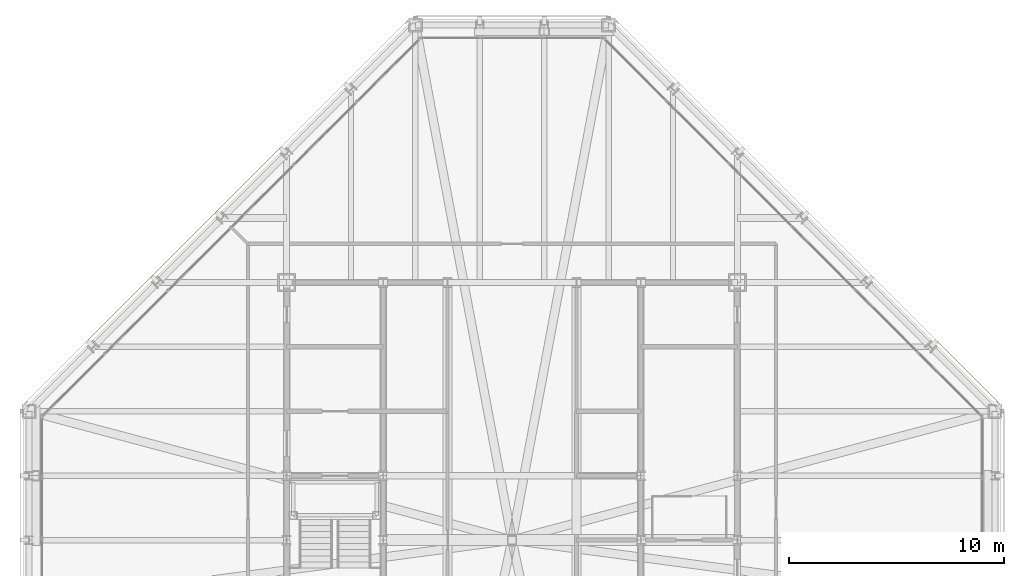
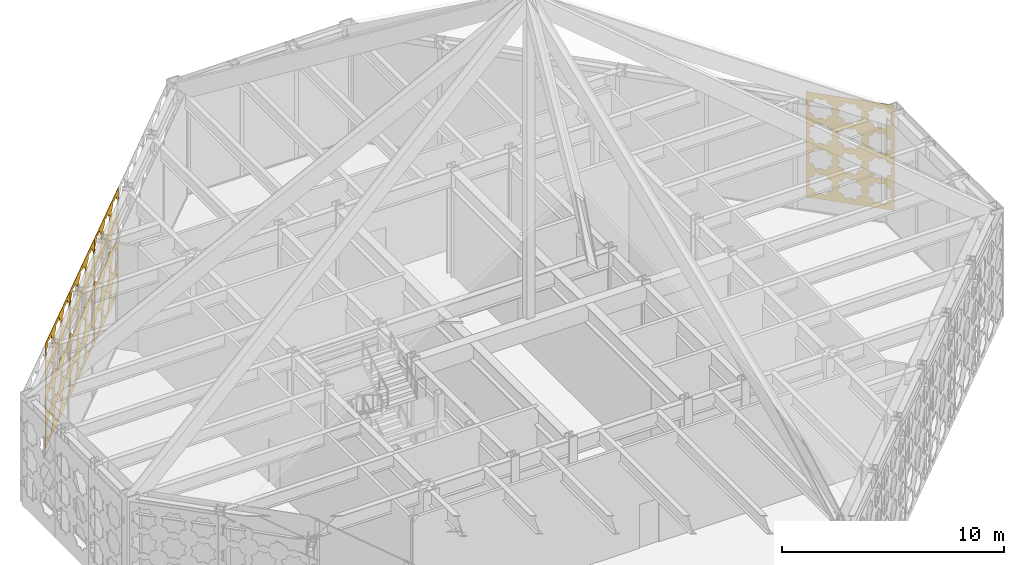
# One storey, part 27 of 30: 4 coverings.
"""IFC4 building model written with IfcOpenShell, lengths in metres."""

import ifcopenshell
import ifcopenshell.guid

model = None  # the IFC model being written
_history = None  # IfcOwnerHistory: only IFC2X3 demands one
_inside = {}  # id of a spatial element -> (the spatial element, [elements in it])
_under = {}  # id of a project, library or spatial element -> (it, [spatial elements below it])
_declared = {}  # id of a project -> (the project, [libraries it declares])
_typed = {}  # id of a type object -> (the type object, [elements of that type])
_made_of = {}  # id of a material, layer set ... -> (it, [elements and type objects made of it])


def new_model(schema):
    """Start an empty IFC model of exactly this schema.

    Asked for "IFC4X3", IfcOpenShell would pick the latest addendum, in which some entities
    have other attributes; the version numbers below select the first issue.
    IFC2X3 requires an IfcOwnerHistory on every rooted entity: one is made here for all.
    """
    global model, _history
    if schema == "IFC4X3":
        model = ifcopenshell.file(schema_version=(4, 3, 0, 0))
    else:
        model = ifcopenshell.file(schema=schema)
    _inside.clear()
    _under.clear()
    _declared.clear()
    _typed.clear()
    _made_of.clear()
    _history = None
    if model.schema == "IFC2X3":
        org = make("IfcOrganization", Name="unknown")
        user = make(
            "IfcPersonAndOrganization",
            ThePerson=make("IfcPerson", FamilyName="unknown"),
            TheOrganization=org,
        )
        app = make(
            "IfcApplication",
            ApplicationDeveloper=org,
            Version="unknown",
            ApplicationFullName="unknown",
            ApplicationIdentifier="unknown",
        )
        _history = make(
            "IfcOwnerHistory",
            OwningUser=user,
            OwningApplication=app,
            ChangeAction="ADDED",
            CreationDate=0,
        )
    return model


def make(cls, **values):
    """One entity of the class cls with the attributes given. An attribute that is None is left unset."""
    return model.create_entity(
        cls, **{name: value for name, value in values.items() if value is not None}
    )


def rooted(cls, **values):
    """An entity with a GlobalId (a new one), such as an element, a storey or a relation."""
    return make(cls, GlobalId=ifcopenshell.guid.new(), OwnerHistory=_history, **values)


def si_unit(unit_type, name, prefix=None):
    """IfcSIUnit, for example si_unit("LENGTHUNIT", "METRE", prefix="MILLI")."""
    return make("IfcSIUnit", UnitType=unit_type, Prefix=prefix, Name=name)


def assignment(units):
    """IfcUnitAssignment: the units of a project."""
    return None if units is None else make("IfcUnitAssignment", Units=units)


def point(xyz):
    """IfcCartesianPoint."""
    return None if xyz is None else make("IfcCartesianPoint", Coordinates=xyz)


def direction(xyz):
    """IfcDirection."""
    return None if xyz is None else make("IfcDirection", DirectionRatios=xyz)


def frame(location, z_axis=None, x_axis=None):
    """IfcAxis2Placement3D, a coordinate frame: its origin and axes. An axis left out is left unset."""
    return make(
        "IfcAxis2Placement3D",
        Location=point(location),
        Axis=direction(z_axis),
        RefDirection=direction(x_axis),
    )


def origin():
    """The frame at (0, 0, 0) with its axes left unset."""
    return frame((0.0, 0.0, 0.0))


def place(relative_to, where):
    """IfcLocalPlacement: puts the frame where relative to a parent placement (None: the world)."""
    return make(
        "IfcLocalPlacement", PlacementRelTo=relative_to, RelativePlacement=where
    )


def context(
    kind, dimensions, precision=None, world=None, true_north=None, identifier=None
):
    """IfcGeometricRepresentationContext, for example the 3D "Model" context."""
    return make(
        "IfcGeometricRepresentationContext",
        ContextIdentifier=identifier,
        ContextType=kind,
        CoordinateSpaceDimension=dimensions,
        Precision=precision,
        WorldCoordinateSystem=world,
        TrueNorth=true_north,
    )


def subcontext(parent, identifier, kind, view, scale=None):
    """IfcGeometricRepresentationSubContext, for example "Body" below "Model"."""
    return make(
        "IfcGeometricRepresentationSubContext",
        ContextIdentifier=identifier,
        ContextType=kind,
        ParentContext=parent,
        TargetScale=scale,
        TargetView=view,
    )


def project(units=None, contexts=None):
    """IfcProject with its units and contexts."""
    return rooted(
        "IfcProject",
        Name="project",
        RepresentationContexts=contexts,
        UnitsInContext=assignment(units),
    )


def spatial(cls, under=None, at=None, **own):
    """A site, building, storey or space (cls), placed at a placement, below another one or the project."""
    s = rooted(cls, ObjectPlacement=at, **own)
    if under is not None:
        _under.setdefault(under.id(), (under, []))[1].append(s)
    return s


def polyline(points):
    """IfcPolyline through the points."""
    return make("IfcPolyline", Points=[point(p) for p in points])


def outline(outer, holes=None, kind="AREA"):
    """IfcArbitraryClosedProfileDef: a profile drawn as a closed curve; with holes, ...WithVoids."""
    if holes is None:
        return make("IfcArbitraryClosedProfileDef", ProfileType=kind, OuterCurve=outer)
    return make(
        "IfcArbitraryProfileDefWithVoids",
        ProfileType=kind,
        OuterCurve=outer,
        InnerCurves=holes,
    )


def extrude(swept, where, along, depth):
    """IfcExtrudedAreaSolid: the profile swept, set in the frame where, extruded along a direction by depth."""
    return make(
        "IfcExtrudedAreaSolid",
        SweptArea=swept,
        Position=where,
        ExtrudedDirection=direction(along),
        Depth=depth,
    )


def shape(context_of_items, identifier, shape_type, items):
    """IfcShapeRepresentation: the items that make up one representation, for example the "Body"."""
    return make(
        "IfcShapeRepresentation",
        ContextOfItems=context_of_items,
        RepresentationIdentifier=identifier,
        RepresentationType=shape_type,
        Items=items,
    )


def material(Name=None, Category=None):
    """IfcMaterial."""
    return make("IfcMaterial", Name=Name, Category=Category)


def layer(
    of_material, thickness, ventilated=None, Name=None, Category=None, Priority=None
):
    """IfcMaterialLayer: one layer of a wall or slab, of a material (None: an air gap)."""
    return make(
        "IfcMaterialLayer",
        Material=of_material,
        LayerThickness=thickness,
        IsVentilated=ventilated,
        Name=Name,
        Category=Category,
        Priority=Priority,
    )


def layer_set(layers, Name=None):
    """IfcMaterialLayerSet."""
    return make("IfcMaterialLayerSet", MaterialLayers=layers, LayerSetName=Name)


def made_of(thing, what):
    """Note that an element or type object is made of a material, layer set ...; save() writes the relation."""
    if what is not None:
        _made_of.setdefault(what.id(), (what, []))[1].append(thing)
    return thing


def type_object(cls, material=None, **own):
    """A type object (cls), such as IfcWallType, which elements share."""
    return made_of(rooted(cls, **own), material)


def element(
    cls,
    number,
    at=None,
    inside=None,
    cuts=None,
    type_object=None,
    material=None,
    context=None,
    identifier="Body",
    shape_type=None,
    held_by="IfcProductDefinitionShape",
    body=None,
    shapes=None,
    **own,
):
    """One element of the class cls, such as IfcWall. Its Tag is "e" and its number.

    at: its placement. inside: the storey or other place that contains it. cuts: it is an
    opening in that element (IfcRelVoidsElement). A single representation is given by context,
    identifier, shape_type and body (its items); several are given by shapes. held_by: the class
    of the entity that holds the representations. save() writes the other relations.
    """
    e = rooted(cls, Tag="e%d" % number, ObjectPlacement=at, **own)
    if body is not None:
        shapes = [shape(context, identifier, shape_type, body)]
    if shapes is not None:
        e.Representation = make(held_by, Representations=shapes)
    if inside is not None:
        _inside.setdefault(inside.id(), (inside, []))[1].append(e)
    if cuts is not None:
        rooted(
            "IfcRelVoidsElement", RelatingBuildingElement=cuts, RelatedOpeningElement=e
        )
    if type_object is not None:
        _typed.setdefault(type_object.id(), (type_object, []))[1].append(e)
    return made_of(e, material)


def aggregate(whole, parts):
    """IfcRelAggregates: a whole, such as a stair, and the parts it consists of."""
    return rooted("IfcRelAggregates", RelatingObject=whole, RelatedObjects=parts)


def save(model, path):
    """Write the relations noted so far, then the file.

    IfcRelAggregates (storeys below a building ...), IfcRelContainedInSpatialStructure (elements
    in a storey), IfcRelDefinesByType, IfcRelAssociatesMaterial and IfcRelDeclares: one each for
    every whole, place, type object, material and project.
    """
    for whole, parts in _under.values():
        aggregate(whole, parts)
    for where, things in _inside.values():
        rooted(
            "IfcRelContainedInSpatialStructure",
            RelatedElements=things,
            RelatingStructure=where,
        )
    for kind, things in _typed.values():
        rooted("IfcRelDefinesByType", RelatedObjects=things, RelatingType=kind)
    for what, things in _made_of.values():
        rooted("IfcRelAssociatesMaterial", RelatedObjects=things, RelatingMaterial=what)
    for by, libraries in _declared.values():
        rooted("IfcRelDeclares", RelatingContext=by, RelatedDefinitions=libraries)
    model.write(path)


model = new_model("IFC4")

# Units and contexts
model_context = context("Model", 3, precision=1e-05, world=origin(), true_north=direction((0.0, 1.0)))
body_context = subcontext(model_context, "Body", "Model", "MODEL_VIEW")
ifc_project = project(units=[si_unit("LENGTHUNIT", "METRE"), si_unit("AREAUNIT", "SQUARE_METRE"), si_unit("VOLUMEUNIT", "CUBIC_METRE"), si_unit("PLANEANGLEUNIT", "RADIAN"), si_unit("MASSUNIT", "GRAM", prefix="KILO")], contexts=[model_context])

# Site, building, storey
site_placement = place(None, origin())
site = spatial("IfcSite", under=ifc_project, at=site_placement, CompositionType="ELEMENT")
building_placement = place(site_placement, origin())
building = spatial("IfcBuilding", under=site, at=building_placement, Name="Chuquiago Exchange Tower", CompositionType="ELEMENT")
storey_placement = place(building_placement, frame((0.0, 0.0, 306.0)))
storey = spatial("IfcBuildingStorey", under=building, at=storey_placement, Name="L68", CompositionType="ELEMENT", Elevation=306.0)

# Coverings
ifc_material_1 = material(Name="Anodised aluminium, pale", Category="aluminium")
ifc_layer_1 = layer(ifc_material_1, 0.02001953125)
ifc_layer_set_1 = layer_set([ifc_layer_1], Name="GC4 girih cladding panel 20")
covering_type_1 = type_object("IfcCoveringType", Name="GC4 girih cladding panel 20", PredefinedType="CLADDING", material=ifc_layer_set_1)
covering_1_placement = place(storey_placement, frame((11.713623046875, 39.279296875, 0.0048828125), z_axis=(0.0, 0.0, 1.0), x_axis=(-0.707106781187, -0.707106781187, 0.0)))
element("IfcCovering", 1, at=covering_1_placement, inside=storey, type_object=covering_type_1, Name="Girih cladding panel L68 NW 3", PredefinedType="CLADDING", context=body_context, shape_type="SweptSolid", body=[
    extrude(outline(polyline([(0.0, 0.0), (4.232666015625, 0.0), (4.232666015625, 5.795166015625), (0.0, 5.795166015625), (0.0, 0.0)]), holes=[polyline([(1.2021484375, 0.78125), (1.304931640625, 1.029541015625), (1.056640625, 1.132568359375), (0.953857421875, 1.380859375), (0.70556640625, 1.278076171875), (0.45703125, 1.380859375), (0.354248046875, 1.132568359375), (0.10595703125, 1.029541015625), (0.208740234375, 0.78125), (0.10595703125, 0.532958984375), (0.354248046875, 0.429931640625), (0.45703125, 0.181640625), (0.705322265625, 0.284423828125), (0.953857421875, 0.181640625), (1.056640625, 0.429931640625), (1.304931640625, 0.532958984375), (1.2021484375, 0.78125)]), polyline([(2.613037109375, 0.78125), (2.7158203125, 1.029541015625), (2.467529296875, 1.132568359375), (2.36474609375, 1.380859375), (2.116455078125, 1.278076171875), (1.867919921875, 1.380859375), (1.76513671875, 1.132568359375), (1.516845703125, 1.029541015625), (1.61962890625, 0.78125), (1.516845703125, 0.532958984375), (1.76513671875, 0.429931640625), (1.867919921875, 0.181640625), (2.116455078125, 0.284423828125), (2.36474609375, 0.181640625), (2.467529296875, 0.429931640625), (2.7158203125, 0.532958984375), (2.613037109375, 0.78125)]), polyline([(4.02392578125, 0.78125), (4.126708984375, 1.029541015625), (3.87841796875, 1.132568359375), (3.775634765625, 1.380859375), (3.527099609375, 1.278076171875), (3.27880859375, 1.380859375), (3.176025390625, 1.132568359375), (2.927734375, 1.029541015625), (3.030517578125, 0.78125), (2.927734375, 0.532958984375), (3.176025390625, 0.429931640625), (3.27880859375, 0.181640625), (3.527099609375, 0.284423828125), (3.775634765625, 0.181640625), (3.87841796875, 0.429931640625), (4.126708984375, 0.532958984375), (4.02392578125, 0.78125)]), polyline([(1.2021484375, 2.192138671875), (1.304931640625, 2.4404296875), (1.056640625, 2.54345703125), (0.953857421875, 2.791748046875), (0.70556640625, 2.68896484375), (0.45703125, 2.791748046875), (0.354248046875, 2.54345703125), (0.10595703125, 2.4404296875), (0.208740234375, 2.192138671875), (0.10595703125, 1.94384765625), (0.354248046875, 1.8408203125), (0.45703125, 1.592529296875), (0.705322265625, 1.6953125), (0.953857421875, 1.592529296875), (1.056640625, 1.8408203125), (1.304931640625, 1.94384765625), (1.2021484375, 2.192138671875)]), polyline([(2.613037109375, 2.192138671875), (2.7158203125, 2.4404296875), (2.467529296875, 2.54345703125), (2.36474609375, 2.791748046875), (2.116455078125, 2.68896484375), (1.867919921875, 2.791748046875), (1.76513671875, 2.54345703125), (1.516845703125, 2.4404296875), (1.61962890625, 2.192138671875), (1.516845703125, 1.94384765625), (1.76513671875, 1.8408203125), (1.867919921875, 1.592529296875), (2.116455078125, 1.6953125), (2.36474609375, 1.592529296875), (2.467529296875, 1.8408203125), (2.7158203125, 1.94384765625), (2.613037109375, 2.192138671875)]), polyline([(4.02392578125, 2.192138671875), (4.126708984375, 2.4404296875), (3.87841796875, 2.54345703125), (3.775634765625, 2.791748046875), (3.527099609375, 2.68896484375), (3.27880859375, 2.791748046875), (3.176025390625, 2.54345703125), (2.927734375, 2.4404296875), (3.030517578125, 2.192138671875), (2.927734375, 1.94384765625), (3.176025390625, 1.8408203125), (3.27880859375, 1.592529296875), (3.527099609375, 1.6953125), (3.775634765625, 1.592529296875), (3.87841796875, 1.8408203125), (4.126708984375, 1.94384765625), (4.02392578125, 2.192138671875)]), polyline([(1.2021484375, 3.60302734375), (1.304931640625, 3.851318359375), (1.056640625, 3.954345703125), (0.953857421875, 4.20263671875), (0.70556640625, 4.099853515625), (0.45703125, 4.20263671875), (0.354248046875, 3.954345703125), (0.10595703125, 3.851318359375), (0.208740234375, 3.60302734375), (0.10595703125, 3.354736328125), (0.354248046875, 3.251708984375), (0.45703125, 3.00341796875), (0.705322265625, 3.106201171875), (0.953857421875, 3.00341796875), (1.056640625, 3.251708984375), (1.304931640625, 3.354736328125), (1.2021484375, 3.60302734375)]), polyline([(2.613037109375, 3.60302734375), (2.7158203125, 3.851318359375), (2.467529296875, 3.954345703125), (2.36474609375, 4.20263671875), (2.116455078125, 4.099853515625), (1.867919921875, 4.20263671875), (1.76513671875, 3.954345703125), (1.516845703125, 3.851318359375), (1.61962890625, 3.60302734375), (1.516845703125, 3.354736328125), (1.76513671875, 3.251708984375), (1.867919921875, 3.00341796875), (2.116455078125, 3.106201171875), (2.36474609375, 3.00341796875), (2.467529296875, 3.251708984375), (2.7158203125, 3.354736328125), (2.613037109375, 3.60302734375)]), polyline([(4.02392578125, 3.60302734375), (4.126708984375, 3.851318359375), (3.87841796875, 3.954345703125), (3.775634765625, 4.20263671875), (3.527099609375, 4.099853515625), (3.27880859375, 4.20263671875), (3.176025390625, 3.954345703125), (2.927734375, 3.851318359375), (3.030517578125, 3.60302734375), (2.927734375, 3.354736328125), (3.176025390625, 3.251708984375), (3.27880859375, 3.00341796875), (3.527099609375, 3.106201171875), (3.775634765625, 3.00341796875), (3.87841796875, 3.251708984375), (4.126708984375, 3.354736328125), (4.02392578125, 3.60302734375)]), polyline([(1.2021484375, 5.013916015625), (1.304931640625, 5.26220703125), (1.056640625, 5.365234375), (0.953857421875, 5.613525390625), (0.70556640625, 5.5107421875), (0.45703125, 5.613525390625), (0.354248046875, 5.365234375), (0.10595703125, 5.26220703125), (0.208740234375, 5.013916015625), (0.10595703125, 4.765625), (0.354248046875, 4.66259765625), (0.45703125, 4.414306640625), (0.705322265625, 4.517333984375), (0.953857421875, 4.414306640625), (1.056640625, 4.66259765625), (1.304931640625, 4.765625), (1.2021484375, 5.013916015625)]), polyline([(2.613037109375, 5.013916015625), (2.7158203125, 5.26220703125), (2.467529296875, 5.365234375), (2.36474609375, 5.613525390625), (2.116455078125, 5.5107421875), (1.867919921875, 5.613525390625), (1.76513671875, 5.365234375), (1.516845703125, 5.26220703125), (1.61962890625, 5.013916015625), (1.516845703125, 4.765625), (1.76513671875, 4.66259765625), (1.867919921875, 4.414306640625), (2.116455078125, 4.517333984375), (2.36474609375, 4.414306640625), (2.467529296875, 4.66259765625), (2.7158203125, 4.765625), (2.613037109375, 5.013916015625)]), polyline([(4.02392578125, 5.013916015625), (4.126708984375, 5.26220703125), (3.87841796875, 5.365234375), (3.775634765625, 5.613525390625), (3.527099609375, 5.5107421875), (3.27880859375, 5.613525390625), (3.176025390625, 5.365234375), (2.927734375, 5.26220703125), (3.030517578125, 5.013916015625), (2.927734375, 4.765625), (3.176025390625, 4.66259765625), (3.27880859375, 4.414306640625), (3.527099609375, 4.517333984375), (3.775634765625, 4.414306640625), (3.87841796875, 4.66259765625), (4.126708984375, 4.765625), (4.02392578125, 5.013916015625)])]), frame((0.0, 0.0, 0.0), z_axis=(0.0, -1.0, 0.0), x_axis=(1.0, 0.0, 0.0)), (0.0, 0.0, 1.0), 0.02001953125),
])
covering_2_placement = place(storey_placement, frame((8.713623046875, 36.279296875, 0.0048828125), z_axis=(0.0, 0.0, 1.0), x_axis=(-0.707106781187, -0.707106781187, 0.0)))
element("IfcCovering", 2, at=covering_2_placement, inside=storey, type_object=covering_type_1, Name="Girih cladding panel L68 NW 4", PredefinedType="CLADDING", context=body_context, shape_type="SweptSolid", body=[
    extrude(outline(polyline([(0.0, 0.0), (4.232666015625, 0.0), (4.232666015625, 5.795166015625), (0.0, 5.795166015625), (0.0, 0.0)]), holes=[polyline([(1.2021484375, 0.78125), (1.304931640625, 1.029541015625), (1.056640625, 1.132568359375), (0.953857421875, 1.380859375), (0.70556640625, 1.278076171875), (0.45703125, 1.380859375), (0.354248046875, 1.132568359375), (0.10595703125, 1.029541015625), (0.208740234375, 0.78125), (0.10595703125, 0.532958984375), (0.354248046875, 0.429931640625), (0.45703125, 0.181640625), (0.705322265625, 0.284423828125), (0.953857421875, 0.181640625), (1.056640625, 0.429931640625), (1.304931640625, 0.532958984375), (1.2021484375, 0.78125)]), polyline([(2.613037109375, 0.78125), (2.7158203125, 1.029541015625), (2.467529296875, 1.132568359375), (2.36474609375, 1.380859375), (2.116455078125, 1.278076171875), (1.867919921875, 1.380859375), (1.76513671875, 1.132568359375), (1.516845703125, 1.029541015625), (1.61962890625, 0.78125), (1.516845703125, 0.532958984375), (1.76513671875, 0.429931640625), (1.867919921875, 0.181640625), (2.116455078125, 0.284423828125), (2.36474609375, 0.181640625), (2.467529296875, 0.429931640625), (2.7158203125, 0.532958984375), (2.613037109375, 0.78125)]), polyline([(4.02392578125, 0.78125), (4.126708984375, 1.029541015625), (3.87841796875, 1.132568359375), (3.775634765625, 1.380859375), (3.527099609375, 1.278076171875), (3.27880859375, 1.380859375), (3.176025390625, 1.132568359375), (2.927734375, 1.029541015625), (3.030517578125, 0.78125), (2.927734375, 0.532958984375), (3.176025390625, 0.429931640625), (3.27880859375, 0.181640625), (3.527099609375, 0.284423828125), (3.775634765625, 0.181640625), (3.87841796875, 0.429931640625), (4.126708984375, 0.532958984375), (4.02392578125, 0.78125)]), polyline([(1.2021484375, 2.192138671875), (1.304931640625, 2.4404296875), (1.056640625, 2.54345703125), (0.953857421875, 2.791748046875), (0.70556640625, 2.68896484375), (0.45703125, 2.791748046875), (0.354248046875, 2.54345703125), (0.10595703125, 2.4404296875), (0.208740234375, 2.192138671875), (0.10595703125, 1.94384765625), (0.354248046875, 1.8408203125), (0.45703125, 1.592529296875), (0.705322265625, 1.6953125), (0.953857421875, 1.592529296875), (1.056640625, 1.8408203125), (1.304931640625, 1.94384765625), (1.2021484375, 2.192138671875)]), polyline([(2.613037109375, 2.192138671875), (2.7158203125, 2.4404296875), (2.467529296875, 2.54345703125), (2.36474609375, 2.791748046875), (2.116455078125, 2.68896484375), (1.867919921875, 2.791748046875), (1.76513671875, 2.54345703125), (1.516845703125, 2.4404296875), (1.61962890625, 2.192138671875), (1.516845703125, 1.94384765625), (1.76513671875, 1.8408203125), (1.867919921875, 1.592529296875), (2.116455078125, 1.6953125), (2.36474609375, 1.592529296875), (2.467529296875, 1.8408203125), (2.7158203125, 1.94384765625), (2.613037109375, 2.192138671875)]), polyline([(4.02392578125, 2.192138671875), (4.126708984375, 2.4404296875), (3.87841796875, 2.54345703125), (3.775634765625, 2.791748046875), (3.527099609375, 2.68896484375), (3.27880859375, 2.791748046875), (3.176025390625, 2.54345703125), (2.927734375, 2.4404296875), (3.030517578125, 2.192138671875), (2.927734375, 1.94384765625), (3.176025390625, 1.8408203125), (3.27880859375, 1.592529296875), (3.527099609375, 1.6953125), (3.775634765625, 1.592529296875), (3.87841796875, 1.8408203125), (4.126708984375, 1.94384765625), (4.02392578125, 2.192138671875)]), polyline([(1.2021484375, 3.60302734375), (1.304931640625, 3.851318359375), (1.056640625, 3.954345703125), (0.953857421875, 4.20263671875), (0.70556640625, 4.099853515625), (0.45703125, 4.20263671875), (0.354248046875, 3.954345703125), (0.10595703125, 3.851318359375), (0.208740234375, 3.60302734375), (0.10595703125, 3.354736328125), (0.354248046875, 3.251708984375), (0.45703125, 3.00341796875), (0.705322265625, 3.106201171875), (0.953857421875, 3.00341796875), (1.056640625, 3.251708984375), (1.304931640625, 3.354736328125), (1.2021484375, 3.60302734375)]), polyline([(2.613037109375, 3.60302734375), (2.7158203125, 3.851318359375), (2.467529296875, 3.954345703125), (2.36474609375, 4.20263671875), (2.116455078125, 4.099853515625), (1.867919921875, 4.20263671875), (1.76513671875, 3.954345703125), (1.516845703125, 3.851318359375), (1.61962890625, 3.60302734375), (1.516845703125, 3.354736328125), (1.76513671875, 3.251708984375), (1.867919921875, 3.00341796875), (2.116455078125, 3.106201171875), (2.36474609375, 3.00341796875), (2.467529296875, 3.251708984375), (2.7158203125, 3.354736328125), (2.613037109375, 3.60302734375)]), polyline([(4.02392578125, 3.60302734375), (4.126708984375, 3.851318359375), (3.87841796875, 3.954345703125), (3.775634765625, 4.20263671875), (3.527099609375, 4.099853515625), (3.27880859375, 4.20263671875), (3.176025390625, 3.954345703125), (2.927734375, 3.851318359375), (3.030517578125, 3.60302734375), (2.927734375, 3.354736328125), (3.176025390625, 3.251708984375), (3.27880859375, 3.00341796875), (3.527099609375, 3.106201171875), (3.775634765625, 3.00341796875), (3.87841796875, 3.251708984375), (4.126708984375, 3.354736328125), (4.02392578125, 3.60302734375)]), polyline([(1.2021484375, 5.013916015625), (1.304931640625, 5.26220703125), (1.056640625, 5.365234375), (0.953857421875, 5.613525390625), (0.70556640625, 5.5107421875), (0.45703125, 5.613525390625), (0.354248046875, 5.365234375), (0.10595703125, 5.26220703125), (0.208740234375, 5.013916015625), (0.10595703125, 4.765625), (0.354248046875, 4.66259765625), (0.45703125, 4.414306640625), (0.705322265625, 4.517333984375), (0.953857421875, 4.414306640625), (1.056640625, 4.66259765625), (1.304931640625, 4.765625), (1.2021484375, 5.013916015625)]), polyline([(2.613037109375, 5.013916015625), (2.7158203125, 5.26220703125), (2.467529296875, 5.365234375), (2.36474609375, 5.613525390625), (2.116455078125, 5.5107421875), (1.867919921875, 5.613525390625), (1.76513671875, 5.365234375), (1.516845703125, 5.26220703125), (1.61962890625, 5.013916015625), (1.516845703125, 4.765625), (1.76513671875, 4.66259765625), (1.867919921875, 4.414306640625), (2.116455078125, 4.517333984375), (2.36474609375, 4.414306640625), (2.467529296875, 4.66259765625), (2.7158203125, 4.765625), (2.613037109375, 5.013916015625)]), polyline([(4.02392578125, 5.013916015625), (4.126708984375, 5.26220703125), (3.87841796875, 5.365234375), (3.775634765625, 5.613525390625), (3.527099609375, 5.5107421875), (3.27880859375, 5.613525390625), (3.176025390625, 5.365234375), (2.927734375, 5.26220703125), (3.030517578125, 5.013916015625), (2.927734375, 4.765625), (3.176025390625, 4.66259765625), (3.27880859375, 4.414306640625), (3.527099609375, 4.517333984375), (3.775634765625, 4.414306640625), (3.87841796875, 4.66259765625), (4.126708984375, 4.765625), (4.02392578125, 5.013916015625)])]), frame((0.0, 0.0, 0.0), z_axis=(0.0, -1.0, 0.0), x_axis=(1.0, 0.0, 0.0)), (0.0, 0.0, 1.0), 0.02001953125),
])
covering_3_placement = place(storey_placement, frame((5.713623046875, 33.279296875, 0.0048828125), z_axis=(0.0, 0.0, 1.0), x_axis=(-0.707106781187, -0.707106781187, 0.0)))
element("IfcCovering", 3, at=covering_3_placement, inside=storey, type_object=covering_type_1, Name="Girih cladding panel L68 NW 5", PredefinedType="CLADDING", context=body_context, shape_type="SweptSolid", body=[
    extrude(outline(polyline([(0.0, 0.0), (4.232666015625, 0.0), (4.232666015625, 5.795166015625), (0.0, 5.795166015625), (0.0, 0.0)]), holes=[polyline([(1.2021484375, 0.78125), (1.304931640625, 1.029541015625), (1.056640625, 1.132568359375), (0.953857421875, 1.380859375), (0.70556640625, 1.278076171875), (0.45703125, 1.380859375), (0.354248046875, 1.132568359375), (0.10595703125, 1.029541015625), (0.208740234375, 0.78125), (0.10595703125, 0.532958984375), (0.354248046875, 0.429931640625), (0.45703125, 0.181640625), (0.705322265625, 0.284423828125), (0.953857421875, 0.181640625), (1.056640625, 0.429931640625), (1.304931640625, 0.532958984375), (1.2021484375, 0.78125)]), polyline([(2.613037109375, 0.78125), (2.7158203125, 1.029541015625), (2.467529296875, 1.132568359375), (2.36474609375, 1.380859375), (2.116455078125, 1.278076171875), (1.867919921875, 1.380859375), (1.76513671875, 1.132568359375), (1.516845703125, 1.029541015625), (1.61962890625, 0.78125), (1.516845703125, 0.532958984375), (1.76513671875, 0.429931640625), (1.867919921875, 0.181640625), (2.116455078125, 0.284423828125), (2.36474609375, 0.181640625), (2.467529296875, 0.429931640625), (2.7158203125, 0.532958984375), (2.613037109375, 0.78125)]), polyline([(4.02392578125, 0.78125), (4.126708984375, 1.029541015625), (3.87841796875, 1.132568359375), (3.775634765625, 1.380859375), (3.527099609375, 1.278076171875), (3.27880859375, 1.380859375), (3.176025390625, 1.132568359375), (2.927734375, 1.029541015625), (3.030517578125, 0.78125), (2.927734375, 0.532958984375), (3.176025390625, 0.429931640625), (3.27880859375, 0.181640625), (3.527099609375, 0.284423828125), (3.775634765625, 0.181640625), (3.87841796875, 0.429931640625), (4.126708984375, 0.532958984375), (4.02392578125, 0.78125)]), polyline([(1.2021484375, 2.192138671875), (1.304931640625, 2.4404296875), (1.056640625, 2.54345703125), (0.953857421875, 2.791748046875), (0.70556640625, 2.68896484375), (0.45703125, 2.791748046875), (0.354248046875, 2.54345703125), (0.10595703125, 2.4404296875), (0.208740234375, 2.192138671875), (0.10595703125, 1.94384765625), (0.354248046875, 1.8408203125), (0.45703125, 1.592529296875), (0.705322265625, 1.6953125), (0.953857421875, 1.592529296875), (1.056640625, 1.8408203125), (1.304931640625, 1.94384765625), (1.2021484375, 2.192138671875)]), polyline([(2.613037109375, 2.192138671875), (2.7158203125, 2.4404296875), (2.467529296875, 2.54345703125), (2.36474609375, 2.791748046875), (2.116455078125, 2.68896484375), (1.867919921875, 2.791748046875), (1.76513671875, 2.54345703125), (1.516845703125, 2.4404296875), (1.61962890625, 2.192138671875), (1.516845703125, 1.94384765625), (1.76513671875, 1.8408203125), (1.867919921875, 1.592529296875), (2.116455078125, 1.6953125), (2.36474609375, 1.592529296875), (2.467529296875, 1.8408203125), (2.7158203125, 1.94384765625), (2.613037109375, 2.192138671875)]), polyline([(4.02392578125, 2.192138671875), (4.126708984375, 2.4404296875), (3.87841796875, 2.54345703125), (3.775634765625, 2.791748046875), (3.527099609375, 2.68896484375), (3.27880859375, 2.791748046875), (3.176025390625, 2.54345703125), (2.927734375, 2.4404296875), (3.030517578125, 2.192138671875), (2.927734375, 1.94384765625), (3.176025390625, 1.8408203125), (3.27880859375, 1.592529296875), (3.527099609375, 1.6953125), (3.775634765625, 1.592529296875), (3.87841796875, 1.8408203125), (4.126708984375, 1.94384765625), (4.02392578125, 2.192138671875)]), polyline([(1.2021484375, 3.60302734375), (1.304931640625, 3.851318359375), (1.056640625, 3.954345703125), (0.953857421875, 4.20263671875), (0.70556640625, 4.099853515625), (0.45703125, 4.20263671875), (0.354248046875, 3.954345703125), (0.10595703125, 3.851318359375), (0.208740234375, 3.60302734375), (0.10595703125, 3.354736328125), (0.354248046875, 3.251708984375), (0.45703125, 3.00341796875), (0.705322265625, 3.106201171875), (0.953857421875, 3.00341796875), (1.056640625, 3.251708984375), (1.304931640625, 3.354736328125), (1.2021484375, 3.60302734375)]), polyline([(2.613037109375, 3.60302734375), (2.7158203125, 3.851318359375), (2.467529296875, 3.954345703125), (2.36474609375, 4.20263671875), (2.116455078125, 4.099853515625), (1.867919921875, 4.20263671875), (1.76513671875, 3.954345703125), (1.516845703125, 3.851318359375), (1.61962890625, 3.60302734375), (1.516845703125, 3.354736328125), (1.76513671875, 3.251708984375), (1.867919921875, 3.00341796875), (2.116455078125, 3.106201171875), (2.36474609375, 3.00341796875), (2.467529296875, 3.251708984375), (2.7158203125, 3.354736328125), (2.613037109375, 3.60302734375)]), polyline([(4.02392578125, 3.60302734375), (4.126708984375, 3.851318359375), (3.87841796875, 3.954345703125), (3.775634765625, 4.20263671875), (3.527099609375, 4.099853515625), (3.27880859375, 4.20263671875), (3.176025390625, 3.954345703125), (2.927734375, 3.851318359375), (3.030517578125, 3.60302734375), (2.927734375, 3.354736328125), (3.176025390625, 3.251708984375), (3.27880859375, 3.00341796875), (3.527099609375, 3.106201171875), (3.775634765625, 3.00341796875), (3.87841796875, 3.251708984375), (4.126708984375, 3.354736328125), (4.02392578125, 3.60302734375)]), polyline([(1.2021484375, 5.013916015625), (1.304931640625, 5.26220703125), (1.056640625, 5.365234375), (0.953857421875, 5.613525390625), (0.70556640625, 5.5107421875), (0.45703125, 5.613525390625), (0.354248046875, 5.365234375), (0.10595703125, 5.26220703125), (0.208740234375, 5.013916015625), (0.10595703125, 4.765625), (0.354248046875, 4.66259765625), (0.45703125, 4.414306640625), (0.705322265625, 4.517333984375), (0.953857421875, 4.414306640625), (1.056640625, 4.66259765625), (1.304931640625, 4.765625), (1.2021484375, 5.013916015625)]), polyline([(2.613037109375, 5.013916015625), (2.7158203125, 5.26220703125), (2.467529296875, 5.365234375), (2.36474609375, 5.613525390625), (2.116455078125, 5.5107421875), (1.867919921875, 5.613525390625), (1.76513671875, 5.365234375), (1.516845703125, 5.26220703125), (1.61962890625, 5.013916015625), (1.516845703125, 4.765625), (1.76513671875, 4.66259765625), (1.867919921875, 4.414306640625), (2.116455078125, 4.517333984375), (2.36474609375, 4.414306640625), (2.467529296875, 4.66259765625), (2.7158203125, 4.765625), (2.613037109375, 5.013916015625)]), polyline([(4.02392578125, 5.013916015625), (4.126708984375, 5.26220703125), (3.87841796875, 5.365234375), (3.775634765625, 5.613525390625), (3.527099609375, 5.5107421875), (3.27880859375, 5.613525390625), (3.176025390625, 5.365234375), (2.927734375, 5.26220703125), (3.030517578125, 5.013916015625), (2.927734375, 4.765625), (3.176025390625, 4.66259765625), (3.27880859375, 4.414306640625), (3.527099609375, 4.517333984375), (3.775634765625, 4.414306640625), (3.87841796875, 4.66259765625), (4.126708984375, 4.765625), (4.02392578125, 5.013916015625)])]), frame((0.0, 0.0, 0.0), z_axis=(0.0, -1.0, 0.0), x_axis=(1.0, 0.0, 0.0)), (0.0, 0.0, 1.0), 0.02001953125),
])
ifc_material_2 = material(Name="Anodised aluminium, pale", Category="aluminium")
ifc_layer_2 = layer(ifc_material_2, 0.02001953125)
ifc_layer_set_2 = layer_set([ifc_layer_2], Name="GC7 girih cladding panel 20")
covering_type_2 = type_object("IfcCoveringType", Name="GC7 girih cladding panel 20", PredefinedType="CLADDING", material=ifc_layer_set_2)
covering_4_placement = place(storey_placement, frame((45.2158203125, 27.35009765625, 0.0048828125), z_axis=(0.0, 0.0, 1.0), x_axis=(-0.707106781187, 0.707106781187, 0.0)))
element("IfcCovering", 4, at=covering_4_placement, inside=storey, type_object=covering_type_2, Name="Girih cladding panel L68 NE 1", PredefinedType="CLADDING", context=body_context, shape_type="SweptSolid", body=[
    extrude(outline(polyline([(0.0, 0.0), (4.142578125, 0.0), (4.142578125, 5.795166015625), (0.0, 5.795166015625), (0.0, 0.0)]), holes=[polyline([(1.176513671875, 0.826416015625), (1.27734375, 1.0693359375), (1.0341796875, 1.169921875), (0.93359375, 1.4130859375), (0.6904296875, 1.3125), (0.447509765625, 1.4130859375), (0.3466796875, 1.169921875), (0.103515625, 1.0693359375), (0.204345703125, 0.826416015625), (0.103515625, 0.583251953125), (0.3466796875, 0.482421875), (0.447509765625, 0.239501953125), (0.6904296875, 0.340087890625), (0.93359375, 0.239501953125), (1.0341796875, 0.482421875), (1.27734375, 0.583251953125), (1.176513671875, 0.826416015625)]), polyline([(2.5576171875, 0.826416015625), (2.658203125, 1.0693359375), (2.4150390625, 1.169921875), (2.314453125, 1.4130859375), (2.0712890625, 1.3125), (1.828369140625, 1.4130859375), (1.7275390625, 1.169921875), (1.484619140625, 1.0693359375), (1.585205078125, 0.826416015625), (1.484619140625, 0.583251953125), (1.7275390625, 0.482421875), (1.828369140625, 0.239501953125), (2.0712890625, 0.340087890625), (2.314453125, 0.239501953125), (2.4150390625, 0.482421875), (2.658203125, 0.583251953125), (2.5576171875, 0.826416015625)]), polyline([(3.9384765625, 0.826416015625), (4.0390625, 1.0693359375), (3.7958984375, 1.169921875), (3.6953125, 1.4130859375), (3.452392578125, 1.3125), (3.209228515625, 1.4130859375), (3.1083984375, 1.169921875), (2.865478515625, 1.0693359375), (2.966064453125, 0.826416015625), (2.865478515625, 0.583251953125), (3.1083984375, 0.482421875), (3.209228515625, 0.239501953125), (3.452392578125, 0.340087890625), (3.6953125, 0.239501953125), (3.7958984375, 0.482421875), (4.0390625, 0.583251953125), (3.9384765625, 0.826416015625)]), polyline([(1.176513671875, 2.207275390625), (1.27734375, 2.4501953125), (1.0341796875, 2.551025390625), (0.93359375, 2.7939453125), (0.6904296875, 2.693359375), (0.447509765625, 2.7939453125), (0.3466796875, 2.551025390625), (0.103515625, 2.4501953125), (0.204345703125, 2.207275390625), (0.103515625, 1.964111328125), (0.3466796875, 1.863525390625), (0.447509765625, 1.620361328125), (0.6904296875, 1.720947265625), (0.93359375, 1.620361328125), (1.0341796875, 1.863525390625), (1.27734375, 1.964111328125), (1.176513671875, 2.207275390625)]), polyline([(2.5576171875, 2.207275390625), (2.658203125, 2.4501953125), (2.4150390625, 2.551025390625), (2.314453125, 2.7939453125), (2.0712890625, 2.693359375), (1.828369140625, 2.7939453125), (1.7275390625, 2.551025390625), (1.484619140625, 2.4501953125), (1.585205078125, 2.207275390625), (1.484619140625, 1.964111328125), (1.7275390625, 1.863525390625), (1.828369140625, 1.620361328125), (2.0712890625, 1.720947265625), (2.314453125, 1.620361328125), (2.4150390625, 1.863525390625), (2.658203125, 1.964111328125), (2.5576171875, 2.207275390625)]), polyline([(3.9384765625, 2.207275390625), (4.0390625, 2.4501953125), (3.7958984375, 2.551025390625), (3.6953125, 2.7939453125), (3.452392578125, 2.693359375), (3.209228515625, 2.7939453125), (3.1083984375, 2.551025390625), (2.865478515625, 2.4501953125), (2.966064453125, 2.207275390625), (2.865478515625, 1.964111328125), (3.1083984375, 1.863525390625), (3.209228515625, 1.620361328125), (3.452392578125, 1.720947265625), (3.6953125, 1.620361328125), (3.7958984375, 1.863525390625), (4.0390625, 1.964111328125), (3.9384765625, 2.207275390625)]), polyline([(1.176513671875, 3.588134765625), (1.27734375, 3.8310546875), (1.0341796875, 3.931884765625), (0.93359375, 4.1748046875), (0.6904296875, 4.07421875), (0.447509765625, 4.1748046875), (0.3466796875, 3.931884765625), (0.103515625, 3.8310546875), (0.204345703125, 3.588134765625), (0.103515625, 3.344970703125), (0.3466796875, 3.244384765625), (0.447509765625, 3.001220703125), (0.6904296875, 3.101806640625), (0.93359375, 3.001220703125), (1.0341796875, 3.244384765625), (1.27734375, 3.344970703125), (1.176513671875, 3.588134765625)]), polyline([(2.5576171875, 3.588134765625), (2.658203125, 3.8310546875), (2.4150390625, 3.931884765625), (2.314453125, 4.1748046875), (2.0712890625, 4.07421875), (1.828369140625, 4.1748046875), (1.7275390625, 3.931884765625), (1.484619140625, 3.8310546875), (1.585205078125, 3.588134765625), (1.484619140625, 3.344970703125), (1.7275390625, 3.244384765625), (1.828369140625, 3.001220703125), (2.0712890625, 3.101806640625), (2.314453125, 3.001220703125), (2.4150390625, 3.244384765625), (2.658203125, 3.344970703125), (2.5576171875, 3.588134765625)]), polyline([(3.9384765625, 3.588134765625), (4.0390625, 3.8310546875), (3.7958984375, 3.931884765625), (3.6953125, 4.1748046875), (3.452392578125, 4.07421875), (3.209228515625, 4.1748046875), (3.1083984375, 3.931884765625), (2.865478515625, 3.8310546875), (2.966064453125, 3.588134765625), (2.865478515625, 3.344970703125), (3.1083984375, 3.244384765625), (3.209228515625, 3.001220703125), (3.452392578125, 3.101806640625), (3.6953125, 3.001220703125), (3.7958984375, 3.244384765625), (4.0390625, 3.344970703125), (3.9384765625, 3.588134765625)]), polyline([(1.176513671875, 4.968994140625), (1.27734375, 5.2119140625), (1.0341796875, 5.312744140625), (0.93359375, 5.555908203125), (0.6904296875, 5.455078125), (0.447509765625, 5.555908203125), (0.3466796875, 5.312744140625), (0.103515625, 5.2119140625), (0.204345703125, 4.968994140625), (0.103515625, 4.725830078125), (0.3466796875, 4.625244140625), (0.447509765625, 4.382080078125), (0.6904296875, 4.48291015625), (0.93359375, 4.382080078125), (1.0341796875, 4.625244140625), (1.27734375, 4.725830078125), (1.176513671875, 4.968994140625)]), polyline([(2.5576171875, 4.968994140625), (2.658203125, 5.2119140625), (2.4150390625, 5.312744140625), (2.314453125, 5.555908203125), (2.0712890625, 5.455078125), (1.828369140625, 5.555908203125), (1.7275390625, 5.312744140625), (1.484619140625, 5.2119140625), (1.585205078125, 4.968994140625), (1.484619140625, 4.725830078125), (1.7275390625, 4.625244140625), (1.828369140625, 4.382080078125), (2.0712890625, 4.48291015625), (2.314453125, 4.382080078125), (2.4150390625, 4.625244140625), (2.658203125, 4.725830078125), (2.5576171875, 4.968994140625)]), polyline([(3.9384765625, 4.968994140625), (4.0390625, 5.2119140625), (3.7958984375, 5.312744140625), (3.6953125, 5.555908203125), (3.452392578125, 5.455078125), (3.209228515625, 5.555908203125), (3.1083984375, 5.312744140625), (2.865478515625, 5.2119140625), (2.966064453125, 4.968994140625), (2.865478515625, 4.725830078125), (3.1083984375, 4.625244140625), (3.209228515625, 4.382080078125), (3.452392578125, 4.48291015625), (3.6953125, 4.382080078125), (3.7958984375, 4.625244140625), (4.0390625, 4.725830078125), (3.9384765625, 4.968994140625)])]), frame((0.0, 0.0, 0.0), z_axis=(0.0, -1.0, 0.0), x_axis=(1.0, 0.0, 0.0)), (0.0, 0.0, 1.0), 0.02001953125),
])

save(model, "model.ifc")
